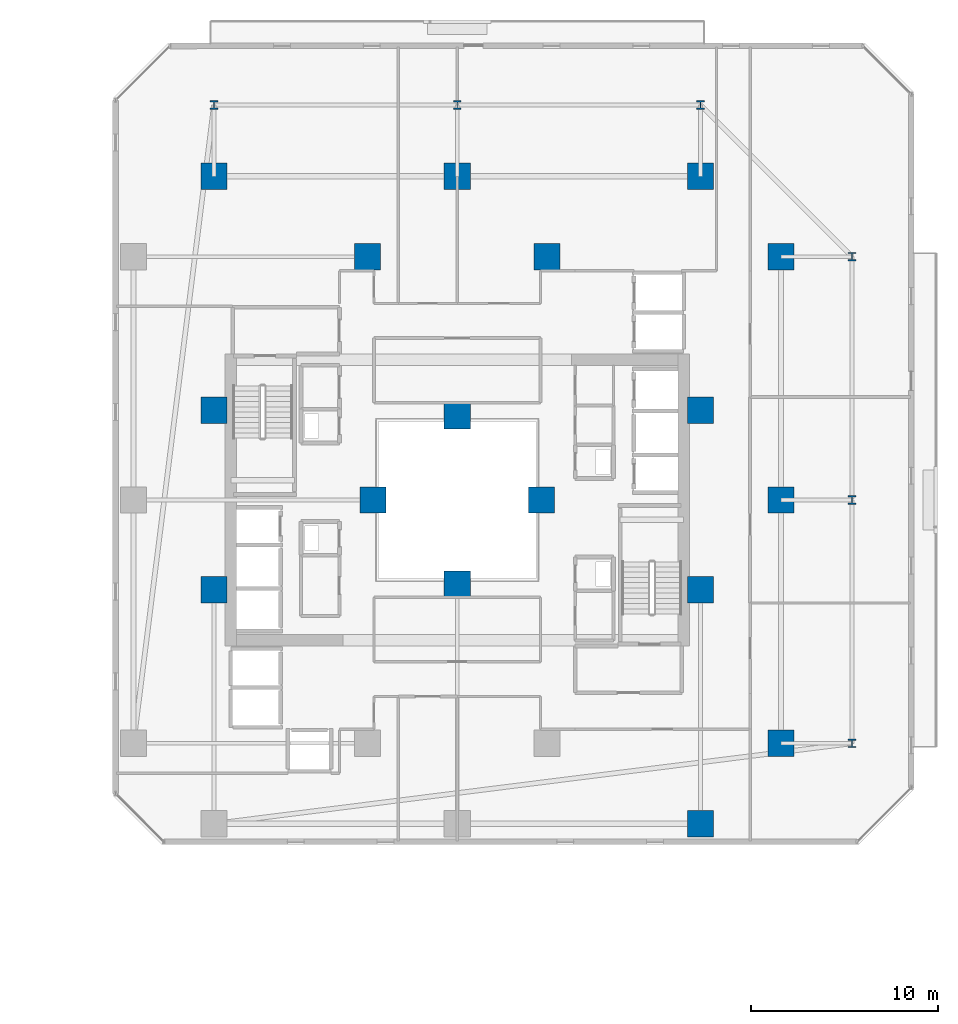
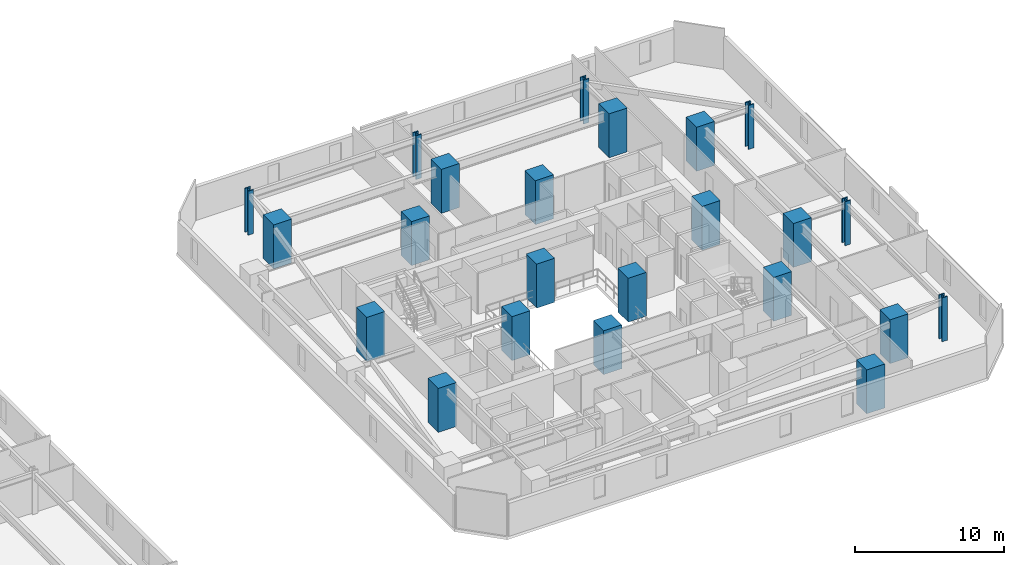
# One storey, part 2 of 35: 23 columns.
"""IFC4 building model written with IfcOpenShell, lengths in metres."""

from ifc_helpers import new_model, si_unit, direction, frame, origin, origin_2d, place, context, subcontext, project, spatial, rectangle, i_section, extrude, material, material_profile, profile_set, type_object, element, save


model = new_model("IFC4")

# Units and contexts
model_context = context("Model", 3, precision=1e-05, world=origin(), true_north=direction((0.0, 1.0)))
body_context = subcontext(model_context, "Body", "Model", "MODEL_VIEW")
ifc_project = project(units=[si_unit("LENGTHUNIT", "METRE"), si_unit("AREAUNIT", "SQUARE_METRE"), si_unit("VOLUMEUNIT", "CUBIC_METRE"), si_unit("PLANEANGLEUNIT", "RADIAN"), si_unit("MASSUNIT", "GRAM", prefix="KILO")], contexts=[model_context])

# Site, building, storey
site_placement = place(None, origin())
site = spatial("IfcSite", under=ifc_project, at=site_placement, CompositionType="ELEMENT")
building_placement = place(site_placement, origin())
building = spatial("IfcBuilding", under=site, at=building_placement, Name="Thornwick Lancets Civic Towers", CompositionType="ELEMENT")
storey_placement = place(building_placement, frame((0.0, 0.0, 64.5)))
storey = spatial("IfcBuildingStorey", under=building, at=storey_placement, Name="L16", CompositionType="ELEMENT", Elevation=64.5)

# Columns
ifc_material_1 = material(Name="Concrete C60/75", Category="concrete")
ifc_material_profile_1 = material_profile(ifc_material_1, rectangle(XDim=1.39990234375, YDim=1.39990234375, at=origin_2d()), Name="RC 1400x1400")
ifc_profile_set_1 = profile_set([ifc_material_profile_1], Name="Concrete C60/75")
column_type_1 = type_object("IfcColumnType", Name="COL_RC_1400", PredefinedType="COLUMN", material=ifc_profile_set_1)
for number, where, z_axis, x_axis, name in (
    (1, (105.800048828125, 14.0, 0.0), (0.0, 0.0, 1.0), (1.0, 0.0, 0.0), "L16 Spine Mega-Column B01"),
    (2, (105.800048828125, 27.0, 0.0), (0.0, 0.0, 1.0), (1.0, 0.0, 0.0), "L16 Spine Mega-Column B02"),
    (3, (105.800048828125, 40.0, 0.0), (0.0, 0.0, 1.0), (1.0, 0.0, 0.0), "L16 Spine Mega-Column B03"),
    (4, (101.5, 44.300048828125, 0.0), (0.0, 0.0, 1.0), (1.0, 0.0, 0.0), "L16 Spine Mega-Column B04"),
    (5, (88.5, 44.300048828125, 0.0), (0.0, 0.0, 1.0), (1.0, 0.0, 0.0), "L16 Spine Mega-Column B05"),
    (6, (75.5, 44.300048828125, 0.0), (0.0, 0.0, 1.0), (1.0, 0.0, 0.0), "L16 Spine Mega-Column B06"),
    (7, (101.5, 9.699951171875, 0.0), (0.0, 0.0, 1.0), (1.0, 0.0, 0.0), "L16 Spine Mega-Column B10"),
    (8, (93.300048828125, 40.0, 0.0), (0.0, 0.0, 1.0), (1.0, 0.0, 0.0), "L16 Spine Mega-Column B14"),
    (9, (83.699951171875, 40.0, 0.0), (0.0, 0.0, 1.0), (1.0, 0.0, 0.0), "L16 Spine Mega-Column B16"),
    (10, (101.5, 22.199951171875, 0.0), (0.0, 0.0, 1.0), (1.0, 0.0, 0.0), "L16 Spine Mega-Column B17"),
    (11, (101.5, 31.800048828125, 0.0), (0.0, 0.0, 1.0), (1.0, 0.0, 0.0), "L16 Spine Mega-Column B18"),
    (12, (75.5, 22.199951171875, 0.0), (0.0, 0.0, 1.0), (1.0, 0.0, 0.0), "L16 Spine Mega-Column B19"),
    (13, (75.5, 31.800048828125, 0.0), (0.0, 0.0, 1.0), (1.0, 0.0, 0.0), "L16 Spine Mega-Column B20"),
    (14, (93.0, 27.0, 0.0), (0.0, 0.0, 1.0), (1.0, 0.0, 0.0), "L16 Spine Mega-Column B21"),
    (15, (84.0, 27.0, 0.0), (0.0, 0.0, 1.0), (1.0, 0.0, 0.0), "L16 Spine Mega-Column B22"),
    (16, (88.5, 22.5, 0.0), (0.0, 0.0, 1.0), (1.0, 0.0, 0.0), "L16 Spine Mega-Column B23"),
    (17, (88.5, 31.5, 0.0), (0.0, 0.0, 1.0), (1.0, 0.0, 0.0), "L16 Spine Mega-Column B24"),
):
    element("IfcColumn", number, at=place(storey_placement, frame(where, z_axis=z_axis, x_axis=x_axis)), inside=storey, type_object=column_type_1, Name=name, PredefinedType="COLUMN", context=body_context, shape_type="SweptSolid", body=[
        extrude(rectangle(XDim=1.39990234375, YDim=1.39990234375, at=origin_2d()), origin(), (0.0, 0.0, 1.0), 3.60009765625),
    ])
ifc_material_2 = material(Name="Steel S460M", Category="steel")
ifc_material_profile_2 = material_profile(ifc_material_2, i_section(OverallWidth=0.424072265625, OverallDepth=0.474609375, WebThickness=0.047607421875, FlangeThickness=0.076904296875, FilletRadius=0.01513671875, at=origin_2d()), Name="UKC 356x406x634")
ifc_profile_set_2 = profile_set([ifc_material_profile_2], Name="Steel S460M")
column_type_2 = type_object("IfcColumnType", Name="COL_UKC_634", PredefinedType="COLUMN", material=ifc_profile_set_2)
for number, where, z_axis, x_axis, name in (
    (18, (109.60009765625, 14.0, 0.0), (0.0, 0.0, 1.0), (1.0, 0.0, 0.0), "L16 Block Perimeter Column B01"),
    (19, (109.60009765625, 27.0, 0.0), (0.0, 0.0, 1.0), (1.0, 0.0, 0.0), "L16 Block Perimeter Column B02"),
    (20, (109.60009765625, 40.0, 0.0), (0.0, 0.0, 1.0), (1.0, 0.0, 0.0), "L16 Block Perimeter Column B03"),
    (21, (101.5, 48.10009765625, 0.0), (0.0, 0.0, 1.0), (1.0, 0.0, 0.0), "L16 Block Perimeter Column B04"),
    (22, (88.5, 48.10009765625, 0.0), (0.0, 0.0, 1.0), (1.0, 0.0, 0.0), "L16 Block Perimeter Column B05"),
    (23, (75.5, 48.10009765625, 0.0), (0.0, 0.0, 1.0), (1.0, 0.0, 0.0), "L16 Block Perimeter Column B06"),
):
    element("IfcColumn", number, at=place(storey_placement, frame(where, z_axis=z_axis, x_axis=x_axis)), inside=storey, type_object=column_type_2, Name=name, PredefinedType="COLUMN", context=body_context, shape_type="SweptSolid", body=[
        extrude(i_section(OverallWidth=0.424072265625, OverallDepth=0.474609375, WebThickness=0.047607421875, FlangeThickness=0.076904296875, FilletRadius=0.01513671875, at=origin_2d()), origin(), (0.0, 0.0, 1.0), 3.60009765625),
    ])

save(model, "model.ifc")
